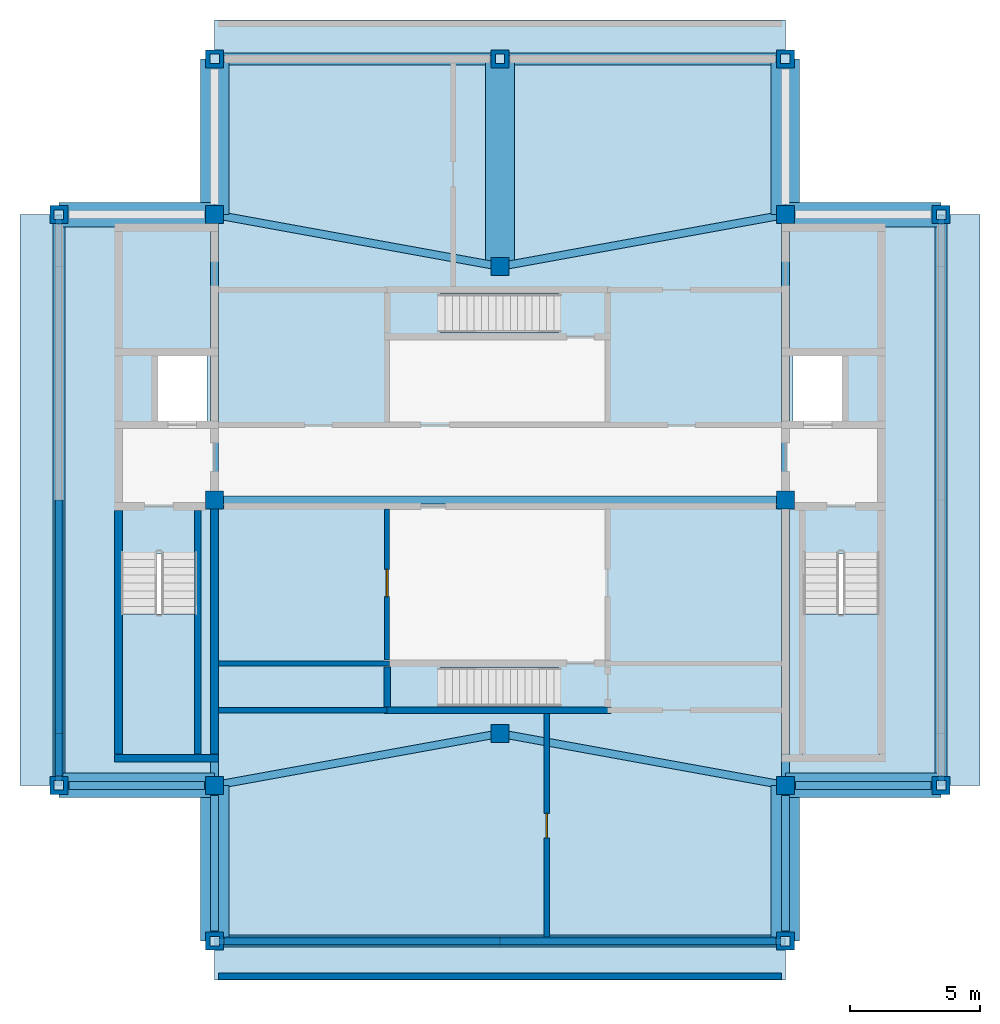
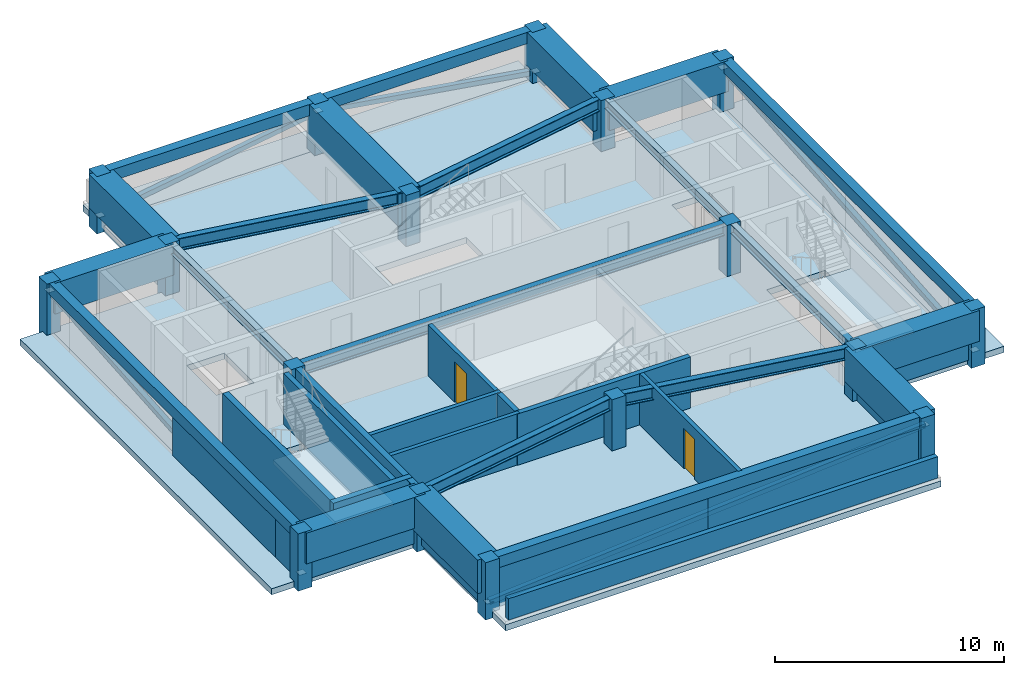
# One storey, part 1 of 4: 20 beams, 19 walls, 17 columns, 9 plates, 7 slabs, 5 members, 2 doors, 2 openings, 2 elements without a shape of their own.
"""IFC4 building model written with IfcOpenShell, lengths in metres."""

from ifc_helpers import new_model, si_unit, direction, frame, frame_2d, origin, origin_2d, place, context, subcontext, project, spatial, polyline, rectangle, hollow_rectangle, i_section, outline, extrude, material, layer, layer_set, material_profile, profile_set, type_object, element, fill, aggregate, save


model = new_model("IFC4")

# Units and contexts
model_context = context("Model", 3, precision=1e-05, world=origin(), true_north=direction((0.0, 1.0)))
body_context = subcontext(model_context, "Body", "Model", "MODEL_VIEW")
ifc_project = project(units=[si_unit("LENGTHUNIT", "METRE"), si_unit("AREAUNIT", "SQUARE_METRE"), si_unit("VOLUMEUNIT", "CUBIC_METRE"), si_unit("PLANEANGLEUNIT", "RADIAN"), si_unit("MASSUNIT", "GRAM", prefix="KILO")], contexts=[model_context])

# Site, building, storey
site_placement = place(None, origin())
site = spatial("IfcSite", under=ifc_project, at=site_placement, CompositionType="ELEMENT")
building_placement = place(site_placement, origin())
building = spatial("IfcBuilding", under=site, at=building_placement, Name="Zulmaris Gate Convention Tower", CompositionType="ELEMENT")
storey_placement = place(building_placement, frame((0.0, 0.0, 287.919921875)))
storey = spatial("IfcBuildingStorey", under=building, at=storey_placement, Name="L77", CompositionType="ELEMENT", Elevation=287.919921875)

# Columns
ifc_material_1 = material(Name="Concrete C50/60", Category="concrete")
ifc_material_profile_1 = material_profile(ifc_material_1, rectangle(XDim=0.699951171875, YDim=0.699951171875, at=origin_2d()), Name="RC COL 700x700")
ifc_profile_set_1 = profile_set([ifc_material_profile_1], Name="Concrete C50/60")
column_type = type_object("IfcColumnType", Name="COL-RC700", PredefinedType="COLUMN", material=ifc_profile_set_1)
for number, where, z_axis, x_axis, name in (
    (1, (-11.0, -17.0, -0.324951171875), (0.0, 0.0, 1.0), (1.0, 0.0, 0.0), "L77 Column CR--11.00_-17.00"),
    (2, (11.0, -17.0, -0.324951171875), (0.0, 0.0, 1.0), (1.0, 0.0, 0.0), "L77 Column CR-+11.00_-17.00"),
    (3, (17.0, -11.0, -0.324951171875), (0.0, 0.0, 1.0), (1.0, 0.0, 0.0), "L77 Column CR-+17.00_-11.00"),
    (4, (17.0, 11.0, -0.324951171875), (0.0, 0.0, 1.0), (1.0, 0.0, 0.0), "L77 Column CR-+17.00_+11.00"),
    (5, (11.0, 17.0, -0.324951171875), (0.0, 0.0, 1.0), (1.0, 0.0, 0.0), "L77 Column CR-+11.00_+17.00"),
    (6, (0.0, 17.0, -0.324951171875), (0.0, 0.0, 1.0), (1.0, 0.0, 0.0), "L77 Column CR-+0.00_+17.00"),
    (7, (-11.0, 17.0, -0.324951171875), (0.0, 0.0, 1.0), (1.0, 0.0, 0.0), "L77 Column CR--11.00_+17.00"),
    (8, (-17.0, 11.0, -0.324951171875), (0.0, 0.0, 1.0), (1.0, 0.0, 0.0), "L77 Column CR--17.00_+11.00"),
    (9, (-17.0, -11.0, -0.324951171875), (0.0, 0.0, 1.0), (1.0, 0.0, 0.0), "L77 Column CR--17.00_-11.00"),
    (10, (-11.0, -11.0, -0.324951171875), (0.0, 0.0, 1.0), (1.0, 0.0, 0.0), "L77 Column CR--11.00_-11.00"),
    (11, (11.0, -11.0, -0.324951171875), (0.0, 0.0, 1.0), (1.0, 0.0, 0.0), "L77 Column CR-+11.00_-11.00"),
    (12, (-11.0, 11.0, -0.324951171875), (0.0, 0.0, 1.0), (1.0, 0.0, 0.0), "L77 Column CR--11.00_+11.00"),
    (13, (11.0, 11.0, -0.324951171875), (0.0, 0.0, 1.0), (1.0, 0.0, 0.0), "L77 Column CR-+11.00_+11.00"),
    (14, (-11.0, 0.0, -0.324951171875), (0.0, 0.0, 1.0), (1.0, 0.0, 0.0), "L77 Column CR--11.00_+0.00"),
    (15, (11.0, 0.0, -0.324951171875), (0.0, 0.0, 1.0), (1.0, 0.0, 0.0), "L77 Column CR-+11.00_+0.00"),
    (16, (0.0, -9.0, -0.324951171875), (0.0, 0.0, 1.0), (1.0, 0.0, 0.0), "L77 Column CR-+0.00_-9.00"),
    (17, (0.0, 9.0, -0.324951171875), (0.0, 0.0, 1.0), (1.0, 0.0, 0.0), "L77 Column CR-+0.00_+9.00"),
):
    element("IfcColumn", number, at=place(storey_placement, frame(where, z_axis=z_axis, x_axis=x_axis)), inside=storey, type_object=column_type, Name=name, PredefinedType="COLUMN", context=body_context, shape_type="SweptSolid", body=[
        extrude(rectangle(XDim=0.699951171875, YDim=0.699951171875, at=origin_2d()), origin(), (0.0, 0.0, 1.0), 3.06005859375),
    ])

# Beams
ifc_material_2 = material(Name="Steel S355", Category="steel")
ifc_material_profile_2 = material_profile(ifc_material_2, i_section(OverallWidth=0.300048828125, OverallDepth=0.5, WebThickness=0.014404296875, FlangeThickness=0.028076171875, FilletRadius=0.027099609375, at=origin_2d()), Name="HEB 500")
ifc_profile_set_2 = profile_set([ifc_material_profile_2], Name="Steel S355")
beam_type_1 = type_object("IfcBeamType", Name="BM-HEB500", PredefinedType="BEAM", material=ifc_profile_set_2)
for number, where, z_axis, x_axis, name in (
    (18, (-11.0, -11.0, 2.483154296875), (0.0, 1.0, 0.0), (-1.0, 0.0, 0.0), "L77 Beam BM-L77-CY--11.0-M"),
    (19, (11.0, -11.0, 2.483154296875), (0.0, 1.0, 0.0), (-1.0, 0.0, 0.0), "L77 Beam BM-L77-CY-+11.0-M"),
):
    element("IfcBeam", number, at=place(storey_placement, frame(where, z_axis=z_axis, x_axis=x_axis)), inside=storey, type_object=beam_type_1, Name=name, PredefinedType="BEAM", context=body_context, shape_type="SweptSolid", body=[
        extrude(i_section(OverallWidth=0.300048828125, OverallDepth=0.5, WebThickness=0.014404296875, FlangeThickness=0.028076171875, FilletRadius=0.027099609375, at=origin_2d()), origin(), (0.0, 0.0, 1.0), 22.0),
    ])
ifc_material_profile_3 = material_profile(ifc_material_2, i_section(OverallWidth=0.300048828125, OverallDepth=0.64990234375, WebThickness=0.01611328125, FlangeThickness=0.031005859375, FilletRadius=0.027099609375, at=origin_2d()), Name="HEB 650")
ifc_profile_set_3 = profile_set([ifc_material_profile_3], Name="Steel S355")
beam_type_2 = type_object("IfcBeamType", Name="BM-HEB650", PredefinedType="BEAM", material=ifc_profile_set_3)
for number, where, z_axis, x_axis, name in (
    (20, (-11.0, -11.0, 2.407958984375), (0.9838699101, 0.1788854382, 0.0), (-0.1788854382, 0.9838699101, 0.0), "L77 Beam BM-L77-CX--9.9-M1"),
    (21, (0.0, -9.0, 2.407958984375), (0.9838699101, -0.1788854382, 0.0), (0.1788854382, 0.9838699101, 0.0), "L77 Beam BM-L77-CX--9.9-M2"),
    (22, (-11.0, 11.0, 2.407958984375), (0.9838699101, -0.1788854382, 0.0), (0.1788854382, 0.9838699101, 0.0), "L77 Beam BM-L77-CX-+10.5-M1"),
    (23, (0.0, 9.0, 2.407958984375), (0.9838699101, 0.1788854382, 0.0), (-0.1788854382, 0.9838699101, 0.0), "L77 Beam BM-L77-CX-+10.5-M2"),
):
    element("IfcBeam", number, at=place(storey_placement, frame(where, z_axis=z_axis, x_axis=x_axis)), inside=storey, type_object=beam_type_2, Name=name, PredefinedType="BEAM", context=body_context, shape_type="SweptSolid", body=[
        extrude(i_section(OverallWidth=0.300048828125, OverallDepth=0.64990234375, WebThickness=0.01611328125, FlangeThickness=0.031005859375, FilletRadius=0.027099609375, at=origin_2d()), origin(), (0.0, 0.0, 1.0), 11.180419921875),
    ])
beam_1_placement = place(storey_placement, frame((-11.0, 0.0, 2.407958984375), z_axis=(1.0, 0.0, 0.0), x_axis=(0.0, 1.0, 0.0)))
element("IfcBeam", 24, at=beam_1_placement, inside=storey, type_object=beam_type_2, Name="L77 Beam BM-L77-CX-MID", PredefinedType="BEAM", context=body_context, shape_type="SweptSolid", body=[
    extrude(i_section(OverallWidth=0.300048828125, OverallDepth=0.64990234375, WebThickness=0.01611328125, FlangeThickness=0.031005859375, FilletRadius=0.027099609375, at=origin_2d()), origin(), (0.0, 0.0, 1.0), 22.0),
])
ifc_material_3 = material(Name="Precast concrete C50/60", Category="concrete")
ifc_material_profile_4 = material_profile(ifc_material_3, rectangle(XDim=0.449951171875, YDim=0.60009765625, at=origin_2d()), Name="RC SPANDREL 450x600")
ifc_profile_set_4 = profile_set([ifc_material_profile_4], Name="Precast concrete C50/60")
beam_type_3 = type_object("IfcBeamType", Name="BM-SP450x600", PredefinedType="SPANDREL", material=ifc_profile_set_4)
for number, where, z_axis, x_axis, name in (
    (25, (-11.0, -17.0, 2.43505859375), (1.0, 0.0, 0.0), (0.0, 1.0, 0.0), "L77 Spandrel SP-L77-01"),
    (26, (17.0, -11.0, 2.43505859375), (0.0, 1.0, 0.0), (-1.0, 0.0, 0.0), "L77 Spandrel SP-L77-04"),
    (27, (11.0, 17.0, 2.43505859375), (-1.0, 0.0, 0.0), (0.0, -1.0, 0.0), "L77 Spandrel SP-L77-07"),
    (28, (-17.0, 11.0, 2.43505859375), (0.0, -1.0, 0.0), (1.0, 0.0, 0.0), "L77 Spandrel SP-L77-10"),
):
    element("IfcBeam", number, at=place(storey_placement, frame(where, z_axis=z_axis, x_axis=x_axis)), inside=storey, type_object=beam_type_3, Name=name, PredefinedType="SPANDREL", context=body_context, shape_type="SweptSolid", body=[
        extrude(rectangle(XDim=0.449951171875, YDim=0.60009765625, at=origin_2d()), origin(), (0.0, 0.0, 1.0), 22.0),
    ])
ifc_material_4 = material(Name="Concrete C80/95", Category="concrete")
ifc_material_profile_5 = material_profile(ifc_material_4, rectangle(XDim=0.949951171875, YDim=1.64990234375, at=origin_2d()), Name="RC TRANSFER 950x1650")
ifc_profile_set_5 = profile_set([ifc_material_profile_5], Name="Concrete C80/95")
beam_type_4 = type_object("IfcBeamType", Name="BM-XFER1650", PredefinedType="BEAM", material=ifc_profile_set_5)
for number, where, z_axis, x_axis, name in (
    (29, (-17.0, -11.0, 1.91015625), (1.0, 0.0, 0.0), (0.0, 1.0, 0.0), "L77 Beam XFSPX-L77--11.0-W"),
    (30, (11.0, -11.0, 1.91015625), (1.0, 0.0, 0.0), (0.0, 1.0, 0.0), "L77 Beam XFSPX-L77--11.0-E"),
    (31, (-17.0, 11.0, 1.91015625), (1.0, 0.0, 0.0), (0.0, 1.0, 0.0), "L77 Beam XFSPX-L77-+11.0-W"),
    (32, (11.0, 11.0, 1.91015625), (1.0, 0.0, 0.0), (0.0, 1.0, 0.0), "L77 Beam XFSPX-L77-+11.0-E"),
):
    element("IfcBeam", number, at=place(storey_placement, frame(where, z_axis=z_axis, x_axis=x_axis)), inside=storey, type_object=beam_type_4, Name=name, PredefinedType="BEAM", context=body_context, shape_type="SweptSolid", body=[
        extrude(rectangle(XDim=0.949951171875, YDim=1.64990234375, at=origin_2d()), origin(), (0.0, 0.0, 1.0), 6.0),
    ])
ifc_material_profile_6 = material_profile(ifc_material_4, rectangle(XDim=1.10009765625, YDim=1.800048828125, at=origin_2d()), Name="RC TRANSFER 1100x1800")
ifc_profile_set_6 = profile_set([ifc_material_profile_6], Name="Concrete C80/95")
beam_type_5 = type_object("IfcBeamType", Name="BM-XFER1800", PredefinedType="BEAM", material=ifc_profile_set_6)
for number, where, z_axis, x_axis, name in (
    (33, (-11.0, -17.0, 1.8349609375), (0.0, 1.0, 0.0), (-1.0, 0.0, 0.0), "L77 Beam XFSPY-L77--11.0--17.0"),
    (34, (-11.0, 11.0, 1.8349609375), (0.0, 1.0, 0.0), (-1.0, 0.0, 0.0), "L77 Beam XFSPY-L77--11.0-+11.0"),
):
    element("IfcBeam", number, at=place(storey_placement, frame(where, z_axis=z_axis, x_axis=x_axis)), inside=storey, type_object=beam_type_5, Name=name, PredefinedType="BEAM", context=body_context, shape_type="SweptSolid", body=[
        extrude(rectangle(XDim=1.10009765625, YDim=1.800048828125, at=origin_2d()), origin(), (0.0, 0.0, 1.0), 6.0),
    ])
beam_2_placement = place(storey_placement, frame((0.0, 9.0, 1.8349609375), z_axis=(0.0, 1.0, 0.0), x_axis=(-1.0, 0.0, 0.0)))
element("IfcBeam", 35, at=beam_2_placement, inside=storey, type_object=beam_type_5, Name="L77 Beam XFSPY-L77-+0.0-+9.0", PredefinedType="BEAM", context=body_context, shape_type="SweptSolid", body=[
    extrude(rectangle(XDim=1.10009765625, YDim=1.800048828125, at=origin_2d()), origin(), (0.0, 0.0, 1.0), 8.0),
])
for number, where, z_axis, x_axis, name in (
    (36, (11.0, -17.0, 1.8349609375), (0.0, 1.0, 0.0), (-1.0, 0.0, 0.0), "L77 Beam XFSPY-L77-+11.0--17.0"),
    (37, (11.0, 11.0, 1.8349609375), (0.0, 1.0, 0.0), (-1.0, 0.0, 0.0), "L77 Beam XFSPY-L77-+11.0-+11.0"),
):
    element("IfcBeam", number, at=place(storey_placement, frame(where, z_axis=z_axis, x_axis=x_axis)), inside=storey, type_object=beam_type_5, Name=name, PredefinedType="BEAM", context=body_context, shape_type="SweptSolid", body=[
        extrude(rectangle(XDim=1.10009765625, YDim=1.800048828125, at=origin_2d()), origin(), (0.0, 0.0, 1.0), 6.0),
    ])

# Members
ifc_material_profile_7 = material_profile(ifc_material_2, hollow_rectangle(XDim=0.25, YDim=0.25, WallThickness=0.012451171875, at=origin_2d()), Name="SHS 250x250x12.5")
ifc_profile_set_7 = profile_set([ifc_material_profile_7], Name="Steel S355")
member_type = type_object("IfcMemberType", Name="BR-SHS250", PredefinedType="BRACE", material=ifc_profile_set_7)
member_placement = place(storey_placement, frame((-11.0, -17.0, 0.35009765625), z_axis=(0.996905179889, 0.0, 0.07861337234), x_axis=(0.0, 1.0, 0.0)))
element("IfcMember", 38, at=member_placement, inside=storey, type_object=member_type, Name="L77 Crown Perimeter Brace 01", PredefinedType="BRACE", context=body_context, shape_type="SweptSolid", body=[
    extrude(hollow_rectangle(XDim=0.25, YDim=0.25, WallThickness=0.012451171875, at=origin_2d()), origin(), (0.0, 0.0, 1.0), 22.068359375),
])
for number, where, z_axis, x_axis, name in (
    (39, (-11.0, 17.0, 0.35009765625), (0.987790325004, 0.0, 0.155789196766), (0.0, 1.0, 0.0), "L77 Crown Perimeter Brace 02"),
    (40, (0.0, 17.0, 2.0849609375), (0.987790325004, 0.0, -0.155789196766), (0.0, 1.0, 0.0), "L77 Crown Perimeter Brace 03"),
):
    element("IfcMember", number, at=place(storey_placement, frame(where, z_axis=z_axis, x_axis=x_axis)), inside=storey, type_object=member_type, Name=name, PredefinedType="BRACE", context=body_context, shape_type="SweptSolid", body=[
        extrude(hollow_rectangle(XDim=0.25, YDim=0.25, WallThickness=0.012451171875, at=origin_2d()), origin(), (0.0, 0.0, 1.0), 11.135986328125),
    ])
for number, where, z_axis, x_axis, name in (
    (41, (-17.0, -11.0, 0.35009765625), (0.0, 0.996905179889, 0.07861337234), (-1.0, 0.0, 0.0), "L77 Crown Perimeter Brace 04"),
    (42, (17.0, -11.0, 0.35009765625), (0.0, 0.996905179889, 0.07861337234), (-1.0, 0.0, 0.0), "L77 Crown Perimeter Brace 05"),
):
    element("IfcMember", number, at=place(storey_placement, frame(where, z_axis=z_axis, x_axis=x_axis)), inside=storey, type_object=member_type, Name=name, PredefinedType="BRACE", context=body_context, shape_type="SweptSolid", body=[
        extrude(hollow_rectangle(XDim=0.25, YDim=0.25, WallThickness=0.012451171875, at=origin_2d()), origin(), (0.0, 0.0, 1.0), 22.068359375),
    ])

# Plates
ifc_material_5 = material(Name="Steel S460", Category="steel")
ifc_layer_1 = layer(ifc_material_5, 0.02197265625, Name="Steel S460")
ifc_layer_set_1 = layer_set([ifc_layer_1], Name="Steel S460")
plate_type = type_object("IfcPlateType", Name="NP-CAP-360", PredefinedType="USERDEFINED", material=ifc_layer_set_1)
for number, where, z_axis, x_axis, name in (
    (43, (-11.0, -17.0, 0.339111328125), (0.0, 0.0, 1.0), (1.0, 0.0, 0.0), "L77 Steel Node Plate CBR-L77-01-P0"),
    (44, (11.0, -17.0, 2.073974609375), (0.0, 0.0, 1.0), (1.0, 0.0, 0.0), "L77 Steel Node Plate CBR-L77-01-P1"),
    (45, (-11.0, 17.0, 0.339111328125), (0.0, 0.0, 1.0), (1.0, 0.0, 0.0), "L77 Steel Node Plate CBR-L77-02-P0"),
    (46, (0.0, 17.0, 2.073974609375), (0.0, 0.0, 1.0), (1.0, 0.0, 0.0), "L77 Steel Node Plate CBR-L77-02-P1"),
    (47, (11.0, 17.0, 0.339111328125), (0.0, 0.0, 1.0), (1.0, 0.0, 0.0), "L77 Steel Node Plate CBR-L77-03-P1"),
    (48, (-17.0, -11.0, 0.339111328125), (0.0, 0.0, 1.0), (1.0, 0.0, 0.0), "L77 Steel Node Plate CBR-L77-04-P0"),
    (49, (-17.0, 11.0, 2.073974609375), (0.0, 0.0, 1.0), (1.0, 0.0, 0.0), "L77 Steel Node Plate CBR-L77-04-P1"),
    (50, (17.0, -11.0, 0.339111328125), (0.0, 0.0, 1.0), (1.0, 0.0, 0.0), "L77 Steel Node Plate CBR-L77-05-P0"),
    (51, (17.0, 11.0, 2.073974609375), (0.0, 0.0, 1.0), (1.0, 0.0, 0.0), "L77 Steel Node Plate CBR-L77-05-P1"),
):
    element("IfcPlate", number, at=place(storey_placement, frame(where, z_axis=z_axis, x_axis=x_axis)), inside=storey, type_object=plate_type, Name=name, ObjectType="FLANGE PLATE", PredefinedType="USERDEFINED", context=body_context, shape_type="SweptSolid", body=[
        extrude(rectangle(XDim=0.360107421875, YDim=0.360107421875, at=origin_2d()), origin(), (0.0, 0.0, 1.0), 0.02197265625),
    ])

# Slab
ifc_layer_2 = layer(ifc_material_1, 0.324951171875, Name="Concrete C50/60")
ifc_layer_set_2 = layer_set([ifc_layer_2], Name="Concrete C50/60")
slab_type_1 = type_object("IfcSlabType", Name="SL-FLR-325", PredefinedType="FLOOR", material=ifc_layer_set_2)
slab_1_placement = place(storey_placement, frame((0.0, 0.0, -0.324951171875)))
element("IfcSlab", 52, at=slab_1_placement, inside=storey, type_object=slab_type_1, Name="L77 Crown Plant Floor Slab", PredefinedType="FLOOR", context=body_context, shape_type="SweptSolid", body=[
    extrude(outline(polyline([(-11.0, -17.0), (11.0, -17.0), (11.0, -11.0), (17.0, -11.0), (17.0, 11.0), (11.0, 11.0), (11.0, 17.0), (-11.0, 17.0), (-11.0, 11.0), (-17.0, 11.0), (-17.0, -11.0), (-11.0, -11.0), (-11.0, -17.0)]), holes=[polyline([(-14.6201171875, -2.080078125), (-14.6201171875, -9.85009765625), (-11.659912109375, -9.85009765625), (-11.659912109375, -2.080078125), (-14.6201171875, -2.080078125)]), polyline([(11.659912109375, -2.080078125), (11.659912109375, -9.85009765625), (14.6201171875, -9.85009765625), (14.6201171875, -2.080078125), (11.659912109375, -2.080078125)]), polyline([(-2.320068359375, -7.949951171875), (2.280029296875, -7.949951171875), (2.280029296875, -6.449951171875), (-2.320068359375, -6.449951171875), (-2.320068359375, -7.949951171875)]), polyline([(-2.320068359375, 6.449951171875), (2.280029296875, 6.449951171875), (2.280029296875, 7.949951171875), (-2.320068359375, 7.949951171875), (-2.320068359375, 6.449951171875)]), polyline([(-13.199951171875, 3.0), (-11.300048828125, 3.0), (-11.300048828125, 5.60009765625), (-13.199951171875, 5.60009765625), (-13.199951171875, 3.0)]), polyline([(11.300048828125, 3.0), (13.199951171875, 3.0), (13.199951171875, 5.60009765625), (11.300048828125, 5.60009765625), (11.300048828125, 3.0)])]), origin(), (0.0, 0.0, 1.0), 0.324951171875),
])

# Stair, slab
ifc_material_6 = material(Name="Concrete C45/55", Category="concrete")
stair_type = type_object("IfcStairType", Name="ST-CORE-DOGLEG", PredefinedType="HALF_TURN_STAIR", material=ifc_material_6)
stair_1_placement = place(storey_placement, origin())
stair_1 = element("IfcStair", 53, at=stair_1_placement, inside=storey, type_object=stair_type, Name="L77 Core Exit Stair ST-1", PredefinedType="HALF_TURN_STAIR")
ifc_layer_3 = layer(ifc_material_6, 0.199951171875, Name="Concrete C45/55")
ifc_layer_set_3 = layer_set([ifc_layer_3], Name="Concrete C45/55")
slab_type_2 = type_object("IfcSlabType", Name="SL-LND-200", PredefinedType="LANDING", material=ifc_layer_set_3)
slab_2_placement = place(storey_placement, frame((0.0, 0.0, 1.330078125)))
slab_2 = element("IfcSlab", 54, at=slab_2_placement, type_object=slab_type_2, Name="ST-1 landing 1", PredefinedType="LANDING", context=body_context, shape_type="SweptSolid", body=[
    extrude(outline(polyline([(-14.6201171875, -4.39990234375), (-14.6201171875, -9.85009765625), (-11.659912109375, -9.85009765625), (-11.659912109375, -4.39990234375), (-14.6201171875, -4.39990234375)])), origin(), (0.0, 0.0, 1.0), 0.199951171875),
])
aggregate(stair_1, [slab_2])

stair_2_placement = place(storey_placement, origin())
stair_2 = element("IfcStair", 55, at=stair_2_placement, inside=storey, type_object=stair_type, Name="L77 Core Exit Stair ST-2", PredefinedType="HALF_TURN_STAIR")
slab_3_placement = place(storey_placement, frame((0.0, 0.0, 1.330078125)))
slab_3 = element("IfcSlab", 56, at=slab_3_placement, type_object=slab_type_2, Name="ST-2 landing 1", PredefinedType="LANDING", context=body_context, shape_type="SweptSolid", body=[
    extrude(outline(polyline([(11.659912109375, -4.39990234375), (11.659912109375, -9.85009765625), (14.6201171875, -9.85009765625), (14.6201171875, -4.39990234375), (11.659912109375, -4.39990234375)])), origin(), (0.0, 0.0, 1.0), 0.199951171875),
])
aggregate(stair_2, [slab_3])

# Slabs
ifc_layer_4 = layer(ifc_material_1, 0.324951171875, Name="Concrete C50/60")
ifc_layer_set_4 = layer_set([ifc_layer_4], Name="Concrete C50/60")
slab_type_3 = type_object("IfcSlabType", Name="SL-ROOF-325", PredefinedType="ROOF", material=ifc_layer_set_4)
slab_4_placement = place(storey_placement, frame((0.0, 0.0, -0.324951171875)))
element("IfcSlab", 57, at=slab_4_placement, inside=storey, type_object=slab_type_3, Name="L77 Stepped Crown Setback Roof Cap N", PredefinedType="ROOF", context=body_context, shape_type="SweptSolid", body=[
    extrude(outline(polyline([(-11.0, 17.0), (11.0, 17.0), (11.0, 18.5), (-11.0, 18.5), (-11.0, 17.0)])), origin(), (0.0, 0.0, 1.0), 0.324951171875),
])
slab_5_placement = place(storey_placement, frame((0.0, 0.0, -0.324951171875)))
element("IfcSlab", 58, at=slab_5_placement, inside=storey, type_object=slab_type_3, Name="L77 Stepped Crown Setback Roof Cap S", PredefinedType="ROOF", context=body_context, shape_type="SweptSolid", body=[
    extrude(outline(polyline([(-11.0, -18.5), (11.0, -18.5), (11.0, -17.0), (-11.0, -17.0), (-11.0, -18.5)])), origin(), (0.0, 0.0, 1.0), 0.324951171875),
])
slab_6_placement = place(storey_placement, frame((0.0, 0.0, -0.324951171875)))
element("IfcSlab", 59, at=slab_6_placement, inside=storey, type_object=slab_type_3, Name="L77 Stepped Crown Setback Roof Cap W", PredefinedType="ROOF", context=body_context, shape_type="SweptSolid", body=[
    extrude(outline(polyline([(-18.5, -11.0), (-17.0, -11.0), (-17.0, 11.0), (-18.5, 11.0), (-18.5, -11.0)])), origin(), (0.0, 0.0, 1.0), 0.324951171875),
])
slab_7_placement = place(storey_placement, frame((0.0, 0.0, -0.324951171875)))
element("IfcSlab", 60, at=slab_7_placement, inside=storey, type_object=slab_type_3, Name="L77 Stepped Crown Setback Roof Cap E", PredefinedType="ROOF", context=body_context, shape_type="SweptSolid", body=[
    extrude(outline(polyline([(17.0, -11.0), (18.5, -11.0), (18.5, 11.0), (17.0, 11.0), (17.0, -11.0)])), origin(), (0.0, 0.0, 1.0), 0.324951171875),
])

# Walls
ifc_layer_5 = layer(ifc_material_1, 0.25, Name="Concrete C50/60")
ifc_layer_set_5 = layer_set([ifc_layer_5], Name="Concrete C50/60")
wall_type_1 = type_object("IfcWallType", Name="CORE-250", PredefinedType="SOLIDWALL", material=ifc_layer_set_5)
wall_1_placement = place(storey_placement, frame((-4.47509765625, -8.10009765625, 0.0), z_axis=(0.0, 0.0, 1.0), x_axis=(1.0, 0.0, 0.0)))
element("IfcWall", 61, at=wall_1_placement, inside=storey, type_object=wall_type_1, Name="WL-L77-003", PredefinedType="SOLIDWALL", context=body_context, shape_type="SweptSolid", body=[
    extrude(rectangle(XDim=8.75, YDim=0.25, at=frame_2d((4.375, 0.0))), origin(), (0.0, 0.0, 1.0), 2.735107421875),
])
wall_2_placement = place(storey_placement, frame((-11.64990234375, -9.798095703125, 0.0), z_axis=(0.0, 0.0, 1.0), x_axis=(0.0, 1.0, 0.0)))
element("IfcWall", 62, at=wall_2_placement, inside=storey, type_object=wall_type_1, Name="WL-L77-028", PredefinedType="SOLIDWALL", context=body_context, shape_type="SweptSolid", body=[
    extrude(rectangle(XDim=9.39599609375, YDim=0.25, at=frame_2d((4.697998046875, 0.0))), origin(), (0.0, 0.0, 1.0), 2.735107421875),
])
wall_3_placement = place(storey_placement, frame((-4.35009765625, -7.972900390625, 0.0), z_axis=(0.0, 0.0, 1.0), x_axis=(0.0, 1.0, 0.0)))
element("IfcWall", 63, at=wall_3_placement, inside=storey, type_object=wall_type_1, Name="WL-L77-033", PredefinedType="SOLIDWALL", context=body_context, shape_type="SweptSolid", body=[
    extrude(rectangle(XDim=1.5458984375, YDim=0.25, at=frame_2d((0.77294921875, 0.0))), origin(), (0.0, 0.0, 1.0), 2.735107421875),
])
ifc_layer_6 = layer(ifc_material_1, 0.300048828125, Name="Concrete C50/60")
ifc_layer_set_6 = layer_set([ifc_layer_6], Name="Concrete C50/60")
wall_type_2 = type_object("IfcWallType", Name="CORE-300", PredefinedType="SHEAR", material=ifc_layer_set_6)
wall_4_placement = place(storey_placement, frame((-14.85009765625, -9.949951171875, 0.0), z_axis=(0.0, 0.0, 1.0), x_axis=(1.0, 0.0, 0.0)))
element("IfcWall", 64, at=wall_4_placement, inside=storey, type_object=wall_type_2, Name="WL-L77-001", PredefinedType="SHEAR", context=body_context, shape_type="SweptSolid", body=[
    extrude(rectangle(XDim=4.0, YDim=0.300048828125, at=frame_2d((2.0, 0.0))), origin(), (0.0, 0.0, 1.0), 2.735107421875),
])
wall_5_placement = place(storey_placement, frame((-14.699951171875, -9.798095703125, 0.0), z_axis=(0.0, 0.0, 1.0), x_axis=(0.0, 1.0, 0.0)))
element("IfcWall", 65, at=wall_5_placement, inside=storey, type_object=wall_type_2, Name="WL-L77-023", PredefinedType="SHEAR", context=body_context, shape_type="SweptSolid", body=[
    extrude(rectangle(XDim=9.39599609375, YDim=0.300048828125, at=frame_2d((4.697998046875, 0.0))), origin(), (0.0, 0.0, 1.0), 2.735107421875),
])
wall_6_placement = place(storey_placement, frame((-11.0, -9.798095703125, 0.0), z_axis=(0.0, 0.0, 1.0), x_axis=(0.0, 1.0, 0.0)))
element("IfcWall", 66, at=wall_6_placement, inside=storey, type_object=wall_type_2, Name="WL-L77-029", PredefinedType="SHEAR", context=body_context, shape_type="SweptSolid", body=[
    extrude(rectangle(XDim=9.444091796875, YDim=0.300048828125, at=frame_2d((4.72216796875, 0.0))), origin(), (0.0, 0.0, 1.0), 2.735107421875),
])
ifc_material_7 = material(Name="Autoclaved Aerated Concrete Block and Plasterboard", Category="concrete")
ifc_layer_7 = layer(ifc_material_7, 0.199951171875, Name="Autoclaved Aerated Concrete Block and Plasterboard")
ifc_layer_set_7 = layer_set([ifc_layer_7], Name="Autoclaved Aerated Concrete Block and Plasterboard")
wall_type_3 = type_object("IfcWallType", Name="PART-200", PredefinedType="PARTITIONING", material=ifc_layer_set_7)
wall_7_placement = place(storey_placement, frame((-10.846923828125, -8.10009765625, 0.0), z_axis=(0.0, 0.0, 1.0), x_axis=(1.0, 0.0, 0.0)))
element("IfcWall", 67, at=wall_7_placement, inside=storey, type_object=wall_type_3, Name="WL-L77-015", PredefinedType="PARTITIONING", context=body_context, shape_type="SweptSolid", body=[
    extrude(rectangle(XDim=6.496826171875, YDim=0.199951171875, at=frame_2d((3.24853515625, 0.0))), origin(), (0.0, 0.0, 1.0), 2.735107421875),
])
wall_8_placement = place(storey_placement, frame((-10.846923828125, -6.300048828125, 0.0), z_axis=(0.0, 0.0, 1.0), x_axis=(1.0, 0.0, 0.0)))
element("IfcWall", 68, at=wall_8_placement, inside=storey, type_object=wall_type_3, Name="WL-L77-017", PredefinedType="PARTITIONING", context=body_context, shape_type="SweptSolid", body=[
    extrude(rectangle(XDim=6.596923828125, YDim=0.199951171875, at=frame_2d((3.29833984375, 0.0))), origin(), (0.0, 0.0, 1.0), 2.735107421875),
])

# Wall, opening, door
wall_9_placement = place(storey_placement, frame((-4.35009765625, -6.172119140625, 0.0), z_axis=(0.0, 0.0, 1.0), x_axis=(0.0, 1.0, 0.0)))
wall_9 = element("IfcWall", 69, at=wall_9_placement, inside=storey, type_object=wall_type_3, Name="WL-L77-047", PredefinedType="PARTITIONING", context=body_context, shape_type="SweptSolid", body=[
    extrude(rectangle(XDim=5.819091796875, YDim=0.199951171875, at=frame_2d((2.90966796875, 0.0))), origin(), (0.0, 0.0, 1.0), 2.735107421875),
])
opening_1_placement = place(wall_9_placement, frame((2.447021484375, 0.0, 0.0)))
opening_1 = element("IfcOpeningElement", 70, at=opening_1_placement, cuts=wall_9, Name="Opening D-09", PredefinedType="OPENING", context=body_context, shape_type="SweptSolid", body=[
    extrude(rectangle(XDim=1.050048828125, YDim=2.14990234375, at=frame_2d((0.52490234375, 1.074951171875))), frame((0.0, 0.10986328125, 0.0), z_axis=(0.0, -1.0, 0.0), x_axis=(1.0, 0.0, 0.0)), (0.0, 0.0, 1.0), 0.219970703125),
])
ifc_material_8 = material(Name="Fire-Rated Steel", Category="steel")
door_type_1 = type_object("IfcDoorType", Name="DR-1050-FD", OperationType="NOTDEFINED", PredefinedType="DOOR", material=ifc_material_8)
door_1_placement = place(opening_1_placement, origin())
door_1 = element("IfcDoor", 71, at=door_1_placement, inside=storey, type_object=door_type_1, Name="L77 Chiller Plant Door 13", OperationType="SINGLE_SWING_LEFT", OverallHeight=2.14990234375, OverallWidth=1.050048828125, PredefinedType="DOOR", context=body_context, shape_type="SweptSolid", body=[
    extrude(rectangle(XDim=1.050048828125, YDim=2.14990234375, at=frame_2d((0.52490234375, 1.074951171875))), frame((0.0, 0.02490234375, 0.0), z_axis=(0.0, -1.0, 0.0), x_axis=(1.0, 0.0, 0.0)), (0.0, 0.0, 1.0), 0.050048828125),
])
fill(opening_1, door_1)

wall_10_placement = place(storey_placement, frame((1.800048828125, -16.8349609375, 0.0), z_axis=(0.0, 0.0, 1.0), x_axis=(0.0, 1.0, 0.0)))
wall_10 = element("IfcWall", 72, at=wall_10_placement, inside=storey, type_object=wall_type_3, Name="WL-L77-050", PredefinedType="PARTITIONING", context=body_context, shape_type="SweptSolid", body=[
    extrude(rectangle(XDim=8.60693359375, YDim=0.199951171875, at=frame_2d((4.303466796875, 0.0))), origin(), (0.0, 0.0, 1.0), 2.735107421875),
])
opening_2_placement = place(wall_10_placement, frame((3.81005859375, 0.0, 0.0)))
opening_2 = element("IfcOpeningElement", 73, at=opening_2_placement, cuts=wall_10, Name="Opening D-11", PredefinedType="OPENING", context=body_context, shape_type="SweptSolid", body=[
    extrude(rectangle(XDim=0.949951171875, YDim=2.14990234375, at=frame_2d((0.47509765625, 1.074951171875))), frame((0.0, 0.10986328125, 0.0), z_axis=(0.0, -1.0, 0.0), x_axis=(1.0, 0.0, 0.0)), (0.0, 0.0, 1.0), 0.219970703125),
])
ifc_material_9 = material(Name="Fire-Rated Timber", Category="wood")
door_type_2 = type_object("IfcDoorType", Name="DR-950-FD", OperationType="NOTDEFINED", PredefinedType="DOOR", material=ifc_material_9)
door_2_placement = place(opening_2_placement, origin())
door_2 = element("IfcDoor", 74, at=door_2_placement, inside=storey, type_object=door_type_2, Name="L77 West Cooling Plant Door 18", OperationType="SINGLE_SWING_RIGHT", OverallHeight=2.14990234375, OverallWidth=0.949951171875, PredefinedType="DOOR", context=body_context, shape_type="SweptSolid", body=[
    extrude(rectangle(XDim=0.949951171875, YDim=2.14990234375, at=frame_2d((0.47509765625, 1.074951171875))), frame((0.0, 0.02490234375, 0.0), z_axis=(0.0, -1.0, 0.0), x_axis=(1.0, 0.0, 0.0)), (0.0, 0.0, 1.0), 0.050048828125),
])
fill(opening_2, door_2)

# Walls
ifc_material_10 = material(Name="Precast concrete C40/50", Category="concrete")
ifc_layer_8 = layer(ifc_material_10, 0.300048828125, Name="Precast concrete C40/50")
ifc_layer_set_8 = layer_set([ifc_layer_8], Name="Precast concrete C40/50")
wall_type_4 = type_object("IfcWallType", Name="PRECAST-CROWN-300", PredefinedType="STANDARD", material=ifc_layer_set_8)
for number, where, z_axis, x_axis, name in (
    (75, (-10.6201171875, -17.0, 0.0), (0.0, 0.0, 1.0), (1.0, 0.0, 0.0), "EW-L77-CR-S0_0"),
    (76, (0.0, -17.0, 0.0), (0.0, 0.0, 1.0), (1.0, 0.0, 0.0), "EW-L77-CR-S1_0"),
):
    element("IfcWall", number, at=place(storey_placement, frame(where, z_axis=z_axis, x_axis=x_axis)), inside=storey, type_object=wall_type_4, Name=name, PredefinedType="STANDARD", context=body_context, shape_type="SweptSolid", body=[
        extrude(rectangle(XDim=10.6201171875, YDim=0.300048828125, at=frame_2d((5.31005859375, 0.0))), origin(), (0.0, 0.0, 1.0), 2.127197265625),
    ])
wall_11_placement = place(storey_placement, frame((-17.0, -9.0, 0.0), z_axis=(0.0, 0.0, 1.0), x_axis=(0.0, -1.0, 0.0)))
element("IfcWall", 77, at=wall_11_placement, inside=storey, type_object=wall_type_4, Name="EW-L77-CR-W0_0", PredefinedType="STANDARD", context=body_context, shape_type="SweptSolid", body=[
    extrude(rectangle(XDim=1.6201171875, YDim=0.300048828125, at=frame_2d((0.81005859375, 0.0))), origin(), (0.0, 0.0, 1.0), 2.127197265625),
])
wall_12_placement = place(storey_placement, frame((-17.0, 0.0, 0.0), z_axis=(0.0, 0.0, 1.0), x_axis=(0.0, -1.0, 0.0)))
element("IfcWall", 78, at=wall_12_placement, inside=storey, type_object=wall_type_4, Name="EW-L77-CR-W1_0", PredefinedType="STANDARD", context=body_context, shape_type="SweptSolid", body=[
    extrude(rectangle(XDim=9.0, YDim=0.300048828125, at=frame_2d((4.5, 0.0))), origin(), (0.0, 0.0, 1.0), 2.127197265625),
])
wall_13_placement = place(storey_placement, frame((11.0, -16.6201171875, 0.0), z_axis=(0.0, 0.0, 1.0), x_axis=(0.0, 1.0, 0.0)))
element("IfcWall", 79, at=wall_13_placement, inside=storey, type_object=wall_type_4, Name="EW-L77-CR-SE1_0", PredefinedType="STANDARD", context=body_context, shape_type="SweptSolid", body=[
    extrude(rectangle(XDim=5.240234375, YDim=0.300048828125, at=frame_2d((2.6201171875, 0.0))), origin(), (0.0, 0.0, 1.0), 0.927001953125),
])
for number, where, z_axis, x_axis, name in (
    (80, (11.3798828125, -11.0, 0.0), (0.0, 0.0, 1.0), (1.0, 0.0, 0.0), "EW-L77-CR-SE2_0"),
    (81, (-16.6201171875, -11.0, 0.0), (0.0, 0.0, 1.0), (1.0, 0.0, 0.0), "EW-L77-CR-SW1_0"),
):
    element("IfcWall", number, at=place(storey_placement, frame(where, z_axis=z_axis, x_axis=x_axis)), inside=storey, type_object=wall_type_4, Name=name, PredefinedType="STANDARD", context=body_context, shape_type="SweptSolid", body=[
        extrude(rectangle(XDim=5.240234375, YDim=0.300048828125, at=frame_2d((2.6201171875, 0.0))), origin(), (0.0, 0.0, 1.0), 1.0771484375),
    ])
wall_14_placement = place(storey_placement, frame((-11.0, -11.3798828125, 0.0), z_axis=(0.0, 0.0, 1.0), x_axis=(0.0, -1.0, 0.0)))
element("IfcWall", 82, at=wall_14_placement, inside=storey, type_object=wall_type_4, Name="EW-L77-CR-SW2_0", PredefinedType="STANDARD", context=body_context, shape_type="SweptSolid", body=[
    extrude(rectangle(XDim=5.240234375, YDim=0.300048828125, at=frame_2d((2.6201171875, 0.0))), origin(), (0.0, 0.0, 1.0), 0.927001953125),
])
ifc_layer_9 = layer(ifc_material_10, 0.25, Name="Precast concrete C40/50")
ifc_layer_set_9 = layer_set([ifc_layer_9], Name="Precast concrete C40/50")
wall_type_5 = type_object("IfcWallType", Name="PRECAST-PARAPET-250", PredefinedType="PARAPET", material=ifc_layer_set_9)
wall_15_placement = place(storey_placement, frame((-10.85009765625, -18.35009765625, 0.179931640625), z_axis=(0.0, 0.0, 1.0), x_axis=(1.0, 0.0, 0.0)))
element("IfcWall", 83, at=wall_15_placement, inside=storey, type_object=wall_type_5, Name="PRP-L77-CROWN-S", PredefinedType="PARAPET", context=body_context, shape_type="SweptSolid", body=[
    extrude(rectangle(XDim=21.7001953125, YDim=0.25, at=frame_2d((10.85009765625, 0.0))), origin(), (0.0, 0.0, 1.0), 1.14013671875),
])

save(model, "model.ifc")
